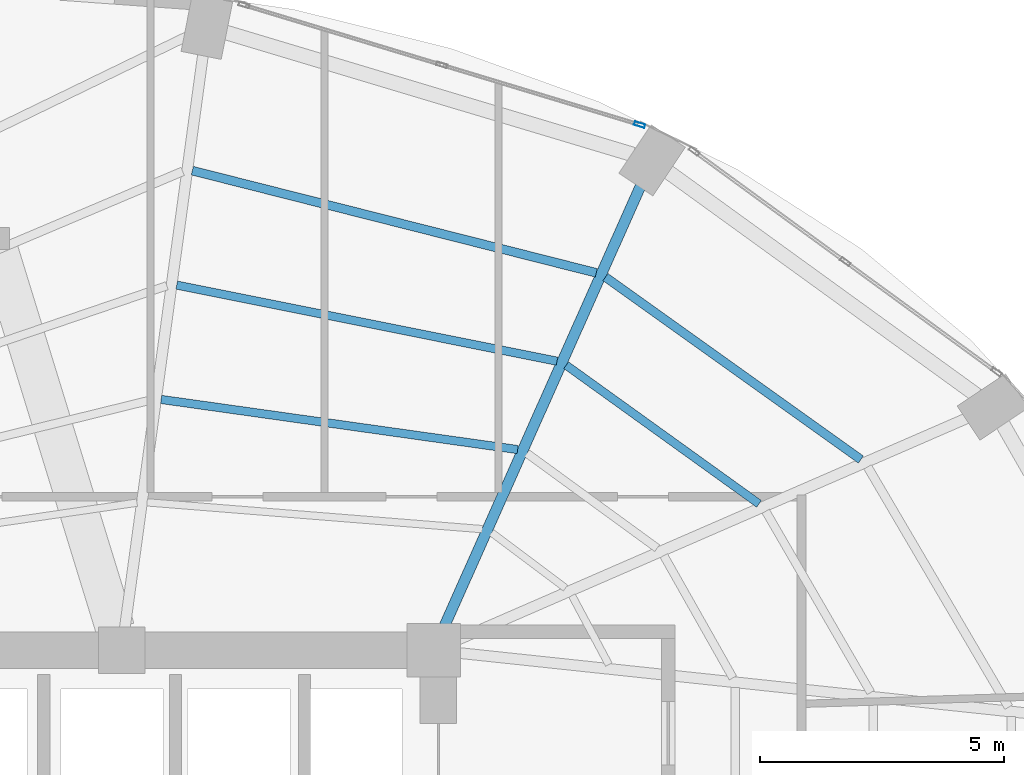
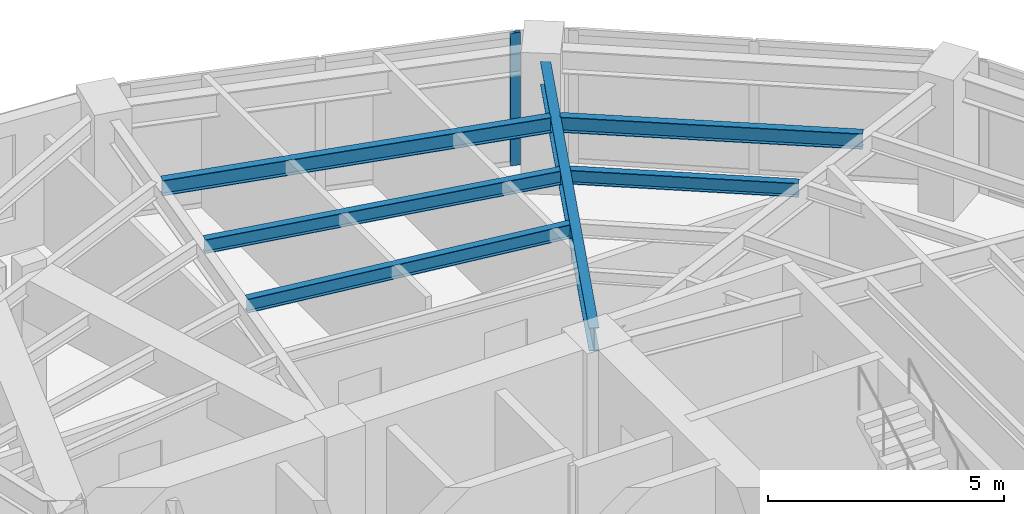
# One storey, part 16 of 23: 6 beams, 1 member, 1 element without a shape of its own.
"""IFC4 building model written with IfcOpenShell, lengths in metres."""

from ifc_helpers import new_model, si_unit, direction, frame, origin, origin_2d, place, context, subcontext, project, spatial, hollow_rectangle, i_section, extrude, material, layer, layer_set, material_profile, profile_set, type_object, element, aggregate, save


model = new_model("IFC4")

# Units and contexts
model_context = context("Model", 3, precision=1e-05, world=origin(), true_north=direction((0.0, 1.0)))
body_context = subcontext(model_context, "Body", "Model", "MODEL_VIEW")
ifc_project = project(units=[si_unit("LENGTHUNIT", "METRE"), si_unit("AREAUNIT", "SQUARE_METRE"), si_unit("VOLUMEUNIT", "CUBIC_METRE"), si_unit("PLANEANGLEUNIT", "RADIAN"), si_unit("MASSUNIT", "GRAM", prefix="KILO")], contexts=[model_context])

# Site, building, storey
site_placement = place(None, origin())
site = spatial("IfcSite", under=ifc_project, at=site_placement, CompositionType="ELEMENT")
building_placement = place(site_placement, origin())
building = spatial("IfcBuilding", under=site, at=building_placement, Name="Lazwardi Medical Tower", CompositionType="ELEMENT")
storey_placement = place(building_placement, frame((0.0, 0.0, 85.39208984375)))
storey = spatial("IfcBuildingStorey", under=building, at=storey_placement, Name="L21", CompositionType="ELEMENT", Elevation=85.39208984375)

# Beams
ifc_material_1 = material(Name="Steel S355", Category="steel")
ifc_material_profile_1 = material_profile(ifc_material_1, i_section(OverallWidth=0.219970703125, OverallDepth=0.60009765625, WebThickness=0.011962890625, FlangeThickness=0.01904296875, at=origin_2d()), Name="IPE 600")
ifc_profile_set_1 = profile_set([ifc_material_profile_1], Name="Steel S355")
beam_type_1 = type_object("IfcBeamType", Name="BM-RG-W1", PredefinedType="BEAM", material=ifc_profile_set_1)
beam_1_placement = place(storey_placement, frame((49.847412109375, 45.127685546875, 3.1279296875), z_axis=(-0.407165924957, -0.913354208155, 0.0), x_axis=(0.913354208155, -0.407165924957, 0.0)))
element("IfcBeam", 1, at=beam_1_placement, inside=storey, type_object=beam_type_1, Name="Radial girder RG-02 R07 L21", PredefinedType="BEAM", context=body_context, shape_type="SweptSolid", body=[
    extrude(i_section(OverallWidth=0.219970703125, OverallDepth=0.60009765625, WebThickness=0.011962890625, FlangeThickness=0.01904296875, at=origin_2d()), origin(), (0.0, 0.0, 1.0), 9.896484375),
])
ifc_material_profile_2 = material_profile(ifc_material_1, i_section(OverallWidth=0.179931640625, OverallDepth=0.39990234375, WebThickness=0.008544921875, FlangeThickness=0.013427734375, at=origin_2d()), Name="IPE 400")
ifc_profile_set_2 = profile_set([ifc_material_profile_2], Name="Steel S355")
beam_type_2 = type_object("IfcBeamType", Name="BM-SJ-01", PredefinedType="JOIST", material=ifc_profile_set_2)
beam_2_placement = place(storey_placement, frame((54.369384765625, 39.514404296875, 3.22802734375), z_axis=(-0.813748834317, 0.581216684763, 0.0), x_axis=(-0.581216684763, -0.813748834317, 0.0)))
element("IfcBeam", 2, at=beam_2_placement, inside=storey, type_object=beam_type_2, Name="Secondary joist SJ-01 R1 B06 L21", PredefinedType="JOIST", context=body_context, shape_type="SweptSolid", body=[
    extrude(i_section(OverallWidth=0.179931640625, OverallDepth=0.39990234375, WebThickness=0.008544921875, FlangeThickness=0.013427734375, at=origin_2d()), origin(), (0.0, 0.0, 1.0), 6.4423828125),
])
beam_3_placement = place(storey_placement, frame((48.939697265625, 43.345703125, 3.22802734375), z_axis=(-0.96945186753, 0.245281626997, 0.0), x_axis=(-0.245281626997, -0.96945186753, 0.0)))
element("IfcBeam", 3, at=beam_3_placement, inside=storey, type_object=beam_type_2, Name="Secondary joist SJ-01 R1 B07 L21", PredefinedType="JOIST", context=body_context, shape_type="SweptSolid", body=[
    extrude(i_section(OverallWidth=0.179931640625, OverallDepth=0.39990234375, WebThickness=0.008544921875, FlangeThickness=0.013427734375, at=origin_2d()), origin(), (0.0, 0.0, 1.0), 8.552978515625),
])
ifc_material_profile_3 = material_profile(ifc_material_1, i_section(OverallWidth=0.169921875, OverallDepth=0.360107421875, WebThickness=0.008056640625, FlangeThickness=0.0126953125, at=origin_2d()), Name="IPE 360")
ifc_profile_set_3 = profile_set([ifc_material_profile_3], Name="Steel S355")
beam_type_3 = type_object("IfcBeamType", Name="BM-SJ-02", PredefinedType="JOIST", material=ifc_profile_set_3)
beam_4_placement = place(storey_placement, frame((52.278564453125, 38.604736328125, 3.247802734375), z_axis=(-0.811888517177, 0.583812500446, 0.0), x_axis=(-0.583812500446, -0.811888517177, 0.0)))
element("IfcBeam", 4, at=beam_4_placement, inside=storey, type_object=beam_type_3, Name="Secondary joist SJ-02 R2 B06 L21", PredefinedType="JOIST", context=body_context, shape_type="SweptSolid", body=[
    extrude(i_section(OverallWidth=0.169921875, OverallDepth=0.360107421875, WebThickness=0.008056640625, FlangeThickness=0.0126953125, at=origin_2d()), origin(), (0.0, 0.0, 1.0), 4.874755859375),
])
beam_5_placement = place(storey_placement, frame((48.1328125, 41.53271484375, 3.247802734375), z_axis=(-0.980542906584, 0.196304886203, 0.0), x_axis=(-0.196304886203, -0.980542906584, 0.0)))
element("IfcBeam", 5, at=beam_5_placement, inside=storey, type_object=beam_type_3, Name="Secondary joist SJ-02 R2 B07 L21", PredefinedType="JOIST", context=body_context, shape_type="SweptSolid", body=[
    extrude(i_section(OverallWidth=0.169921875, OverallDepth=0.360107421875, WebThickness=0.008056640625, FlangeThickness=0.0126953125, at=origin_2d()), origin(), (0.0, 0.0, 1.0), 7.95947265625),
])
beam_6_placement = place(storey_placement, frame((47.32568359375, 39.718994140625, 3.247802734375), z_axis=(-0.990260920731, 0.139223952222, 0.0), x_axis=(-0.139223952222, -0.990260920731, 0.0)))
element("IfcBeam", 6, at=beam_6_placement, inside=storey, type_object=beam_type_3, Name="Secondary joist SJ-02 R3 B07 L21", PredefinedType="JOIST", context=body_context, shape_type="SweptSolid", body=[
    extrude(i_section(OverallWidth=0.169921875, OverallDepth=0.360107421875, WebThickness=0.008056640625, FlangeThickness=0.0126953125, at=origin_2d()), origin(), (0.0, 0.0, 1.0), 7.3896484375),
])

# Curtain wall, member
ifc_material_2 = material(Name="Anodised bronze aluminium and solar control glazing", Category="aluminium")
ifc_layer = layer(ifc_material_2, 0.195068359375)
ifc_layer_set = layer_set([ifc_layer], Name="Anodised bronze aluminium and solar control glazing")
curtain_wall_type = type_object("IfcCurtainWallType", Name="CW-SYS-03", PredefinedType="NOTDEFINED", material=ifc_layer_set)
curtain_wall_placement = place(storey_placement, origin())
curtain_wall = element("IfcCurtainWall", 7, at=curtain_wall_placement, inside=storey, type_object=curtain_wall_type, Name="L21 Unitised bronze curtain wall CW-03", PredefinedType="NOTDEFINED")
ifc_material_3 = material(Name="Anodised bronze aluminium", Category="aluminium")
ifc_material_profile_4 = material_profile(ifc_material_3, hollow_rectangle(XDim=0.074951171875, YDim=0.219970703125, WallThickness=0.00390625, at=origin_2d()), Name="ALU-MULLION 220x75x4")
ifc_profile_set_4 = profile_set([ifc_material_profile_4], Name="Anodised bronze aluminium")
member_type = type_object("IfcMemberType", Name="CW-MUL-01", PredefinedType="MULLION", material=ifc_profile_set_4)
member_placement = place(storey_placement, frame((49.828369140625, 46.385986328125, 0.0), z_axis=(0.0, 0.0, 1.0), x_axis=(-0.28937381157, -0.957216170558, 0.0)))
member = element("IfcMember", 8, at=member_placement, type_object=member_type, Name="CW-03 mullion 1", PredefinedType="MULLION", context=body_context, shape_type="SweptSolid", body=[
    extrude(hollow_rectangle(XDim=0.074951171875, YDim=0.219970703125, WallThickness=0.00390625, at=origin_2d()), origin(), (0.0, 0.0, 1.0), 3.427978515625),
])
aggregate(curtain_wall, [member])

save(model, "model.ifc")
